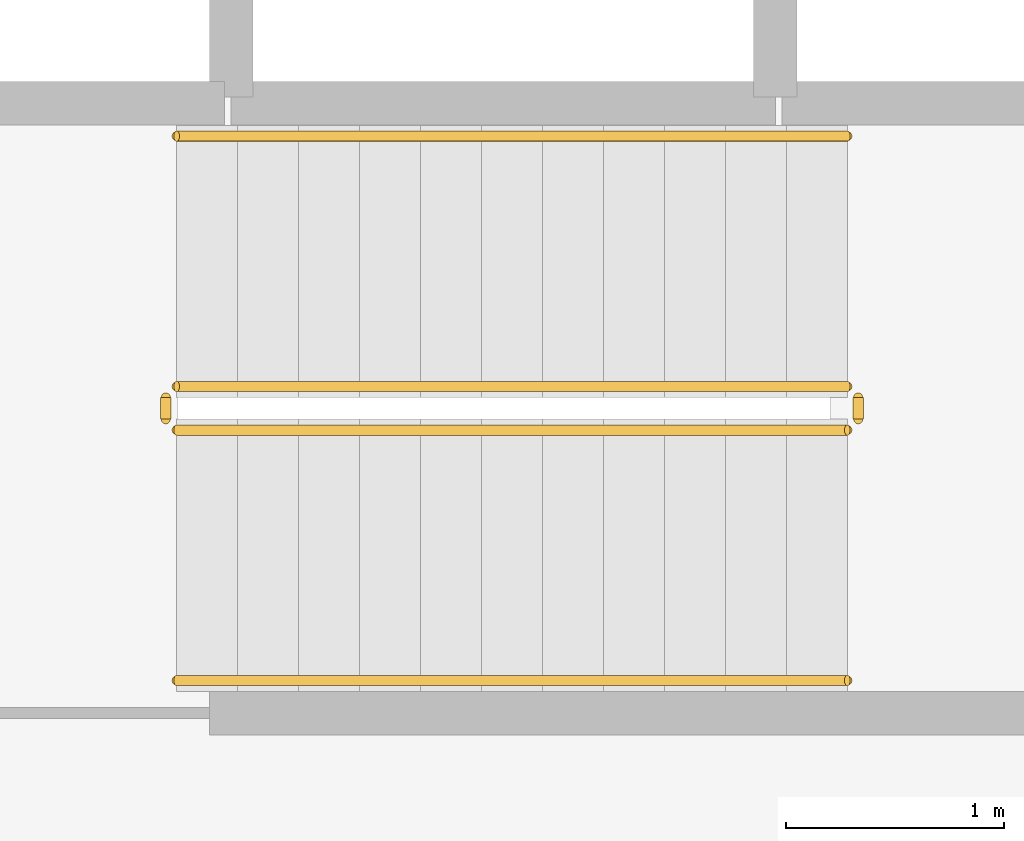
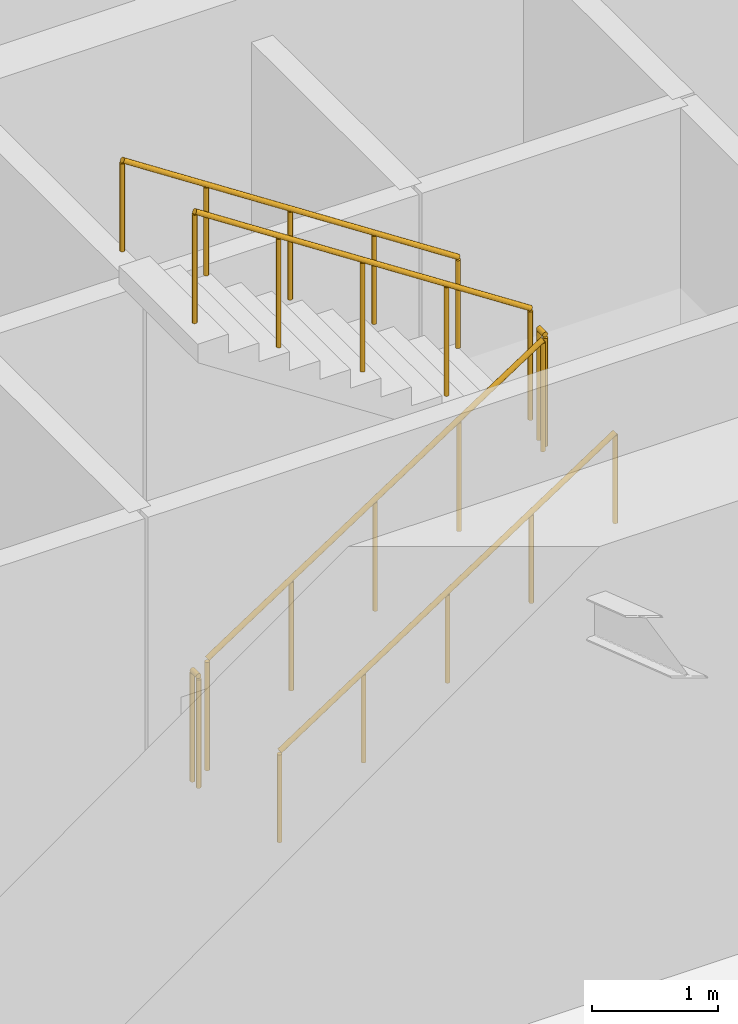
# One storey, part 17 of 21: 6 railings.
"""IFC4 building model written with IfcOpenShell, lengths in metres."""

from ifc_helpers import new_model, si_unit, direction, frame, origin, origin_2d, place, context, subcontext, project, spatial, circle, extrude, material, type_object, element, save


model = new_model("IFC4")

# Units and contexts
model_context = context("Model", 3, precision=1e-05, world=origin(), true_north=direction((0.0, 1.0)))
body_context = subcontext(model_context, "Body", "Model", "MODEL_VIEW")
ifc_project = project(units=[si_unit("LENGTHUNIT", "METRE"), si_unit("AREAUNIT", "SQUARE_METRE"), si_unit("VOLUMEUNIT", "CUBIC_METRE"), si_unit("PLANEANGLEUNIT", "RADIAN"), si_unit("MASSUNIT", "GRAM", prefix="KILO")], contexts=[model_context])

# Site, building, storey
site_placement = place(None, origin())
site = spatial("IfcSite", under=ifc_project, at=site_placement, CompositionType="ELEMENT")
building_placement = place(site_placement, origin())
building = spatial("IfcBuilding", under=site, at=building_placement, Name="Spindrift Exchange Tower", CompositionType="ELEMENT")
storey_placement = place(building_placement, frame((0.0, 0.0, 18.199951171875)))
storey = spatial("IfcBuildingStorey", under=building, at=storey_placement, Name="L04", CompositionType="ELEMENT", Elevation=18.199951171875)

# Railings
ifc_material_1 = material(Name="Steel balustrade", Category="steel")
railing_type_1 = type_object("IfcRailingType", Name="RL-STAIR-GUARD", PredefinedType="GUARDRAIL", material=ifc_material_1)
railing_1_placement = place(storey_placement, frame((54.949951171875, 42.10009765625, 0.183349609375)))
element("IfcRailing", 1, at=railing_1_placement, inside=storey, type_object=railing_type_1, Name="L04 ST2 stair guard 1", PredefinedType="GUARDRAIL", context=body_context, shape_type="SweptSolid", body=[
    extrude(circle(Radius=0.02392578125, at=origin_2d()), frame((0.0, 0.0, 1.076171875), z_axis=(0.836633000464, 0.0, 0.547763838287), x_axis=(0.0, 1.0, 0.0)), (0.0, 0.0, 1.0), 3.681396484375),
    extrude(circle(Radius=0.02099609375, at=origin_2d()), origin(), (0.0, 0.0, 1.0), 1.052001953125),
    extrude(circle(Radius=0.02099609375, at=origin_2d()), frame((0.77001953125, 0.0, 0.504150390625)), (0.0, 0.0, 1.0), 1.052001953125),
    extrude(circle(Radius=0.02099609375, at=origin_2d()), frame((1.5400390625, 0.0, 1.00830078125)), (0.0, 0.0, 1.0), 1.052001953125),
    extrude(circle(Radius=0.02099609375, at=origin_2d()), frame((2.31005859375, 0.0, 1.512451171875)), (0.0, 0.0, 1.0), 1.052001953125),
    extrude(circle(Radius=0.02099609375, at=origin_2d()), frame((3.080078125, 0.0, 2.0166015625)), (0.0, 0.0, 1.0), 1.052001953125),
])
railing_2_placement = place(storey_placement, frame((58.080078125, 42.14990234375, 2.199951171875)))
element("IfcRailing", 2, at=railing_2_placement, inside=storey, type_object=railing_type_1, Name="L04 ST2 stair guard 2", PredefinedType="GUARDRAIL", context=body_context, shape_type="SweptSolid", body=[
    extrude(circle(Radius=0.02392578125, at=origin_2d()), frame((0.0, 0.0, 1.076171875), z_axis=(0.0, 1.0, 0.0), x_axis=(-1.0, 0.0, 0.0)), (0.0, 0.0, 1.0), 0.10009765625),
    extrude(circle(Radius=0.02099609375, at=origin_2d()), origin(), (0.0, 0.0, 1.0), 1.052001953125),
    extrude(circle(Radius=0.02099609375, at=origin_2d()), frame((0.0, 0.10009765625, 0.0)), (0.0, 0.0, 1.0), 1.052001953125),
])
railing_3_placement = place(storey_placement, frame((58.030029296875, 42.300048828125, 2.38330078125)))
element("IfcRailing", 3, at=railing_3_placement, inside=storey, type_object=railing_type_1, Name="L04 ST2 stair guard 3", PredefinedType="GUARDRAIL", context=body_context, shape_type="SweptSolid", body=[
    extrude(circle(Radius=0.02392578125, at=origin_2d()), frame((0.0, 0.0, 1.076171875), z_axis=(-0.836602609513, 0.0, 0.547810253423), x_axis=(0.0, -1.0, 0.0)), (0.0, 0.0, 1.0), 3.681640625),
    extrude(circle(Radius=0.02099609375, at=origin_2d()), origin(), (0.0, 0.0, 1.0), 1.052001953125),
    extrude(circle(Radius=0.02099609375, at=origin_2d()), frame((-0.77001953125, 0.0, 0.504150390625)), (0.0, 0.0, 1.0), 1.052001953125),
    extrude(circle(Radius=0.02099609375, at=origin_2d()), frame((-1.5400390625, 0.0, 1.00830078125)), (0.0, 0.0, 1.0), 1.052001953125),
    extrude(circle(Radius=0.02099609375, at=origin_2d()), frame((-2.31005859375, 0.0, 1.5126953125)), (0.0, 0.0, 1.0), 1.052001953125),
    extrude(circle(Radius=0.02099609375, at=origin_2d()), frame((-3.080078125, 0.0, 2.016845703125)), (0.0, 0.0, 1.0), 1.052001953125),
])
railing_4_placement = place(storey_placement, frame((54.89990234375, 42.14990234375, 0.0)))
element("IfcRailing", 4, at=railing_4_placement, inside=storey, type_object=railing_type_1, Name="L04 ST2 stair guard 4", PredefinedType="GUARDRAIL", context=body_context, shape_type="SweptSolid", body=[
    extrude(circle(Radius=0.02392578125, at=origin_2d()), frame((0.0, 0.0, 1.076171875), z_axis=(0.0, 1.0, 0.0), x_axis=(-1.0, 0.0, 0.0)), (0.0, 0.0, 1.0), 0.10009765625),
    extrude(circle(Radius=0.02099609375, at=origin_2d()), origin(), (0.0, 0.0, 1.0), 1.052001953125),
    extrude(circle(Radius=0.02099609375, at=origin_2d()), frame((0.0, 0.10009765625, 0.0)), (0.0, 0.0, 1.0), 1.052001953125),
])
ifc_material_2 = material(Name="Steel tubular handrail", Category="steel")
railing_type_2 = type_object("IfcRailingType", Name="RL-STAIR-HAND", PredefinedType="HANDRAIL", material=ifc_material_2)
railing_5_placement = place(storey_placement, frame((54.949951171875, 40.949951171875, 0.183349609375)))
element("IfcRailing", 5, at=railing_5_placement, inside=storey, type_object=railing_type_2, Name="L04 ST2 stair handrail 1", PredefinedType="HANDRAIL", context=body_context, shape_type="SweptSolid", body=[
    extrude(circle(Radius=0.02392578125, at=origin_2d()), frame((0.0, 0.0, 0.8759765625), z_axis=(0.836633000464, 0.0, 0.547763838287), x_axis=(0.0, 1.0, 0.0)), (0.0, 0.0, 1.0), 3.681396484375),
    extrude(circle(Radius=0.02099609375, at=origin_2d()), origin(), (0.0, 0.0, 1.0), 0.851806640625),
    extrude(circle(Radius=0.02099609375, at=origin_2d()), frame((0.77001953125, 0.0, 0.504150390625)), (0.0, 0.0, 1.0), 0.851806640625),
    extrude(circle(Radius=0.02099609375, at=origin_2d()), frame((1.5400390625, 0.0, 1.00830078125)), (0.0, 0.0, 1.0), 0.851806640625),
    extrude(circle(Radius=0.02099609375, at=origin_2d()), frame((2.31005859375, 0.0, 1.512451171875)), (0.0, 0.0, 1.0), 0.851806640625),
    extrude(circle(Radius=0.02099609375, at=origin_2d()), frame((3.080078125, 0.0, 2.0166015625)), (0.0, 0.0, 1.0), 0.851806640625),
])
railing_6_placement = place(storey_placement, frame((58.030029296875, 43.449951171875, 2.38330078125)))
element("IfcRailing", 6, at=railing_6_placement, inside=storey, type_object=railing_type_2, Name="L04 ST2 stair handrail 2", PredefinedType="HANDRAIL", context=body_context, shape_type="SweptSolid", body=[
    extrude(circle(Radius=0.02392578125, at=origin_2d()), frame((0.0, 0.0, 0.8759765625), z_axis=(-0.836602609513, 0.0, 0.547810253423), x_axis=(0.0, -1.0, 0.0)), (0.0, 0.0, 1.0), 3.681640625),
    extrude(circle(Radius=0.02099609375, at=origin_2d()), origin(), (0.0, 0.0, 1.0), 0.851806640625),
    extrude(circle(Radius=0.02099609375, at=origin_2d()), frame((-0.77001953125, 0.0, 0.504150390625)), (0.0, 0.0, 1.0), 0.851806640625),
    extrude(circle(Radius=0.02099609375, at=origin_2d()), frame((-1.5400390625, 0.0, 1.00830078125)), (0.0, 0.0, 1.0), 0.851806640625),
    extrude(circle(Radius=0.02099609375, at=origin_2d()), frame((-2.31005859375, 0.0, 1.5126953125)), (0.0, 0.0, 1.0), 0.851806640625),
    extrude(circle(Radius=0.02099609375, at=origin_2d()), frame((-3.080078125, 0.0, 2.016845703125)), (0.0, 0.0, 1.0), 0.851806640625),
])

save(model, "model.ifc")
